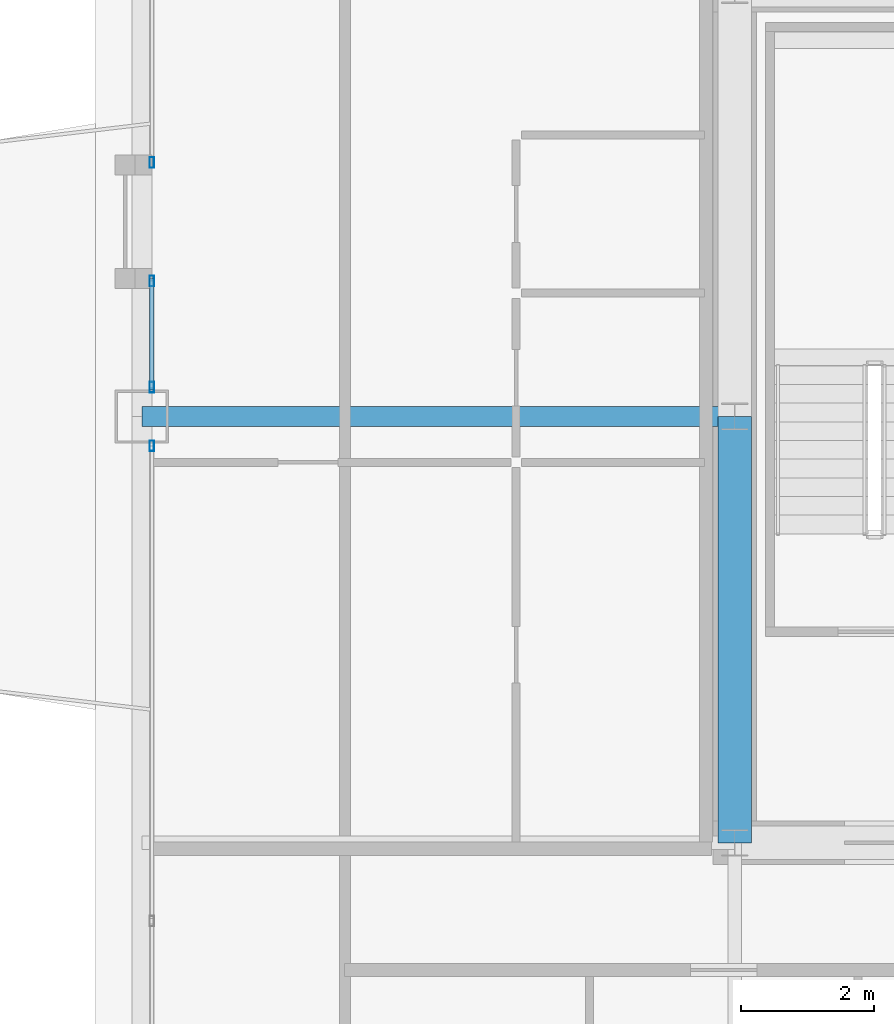
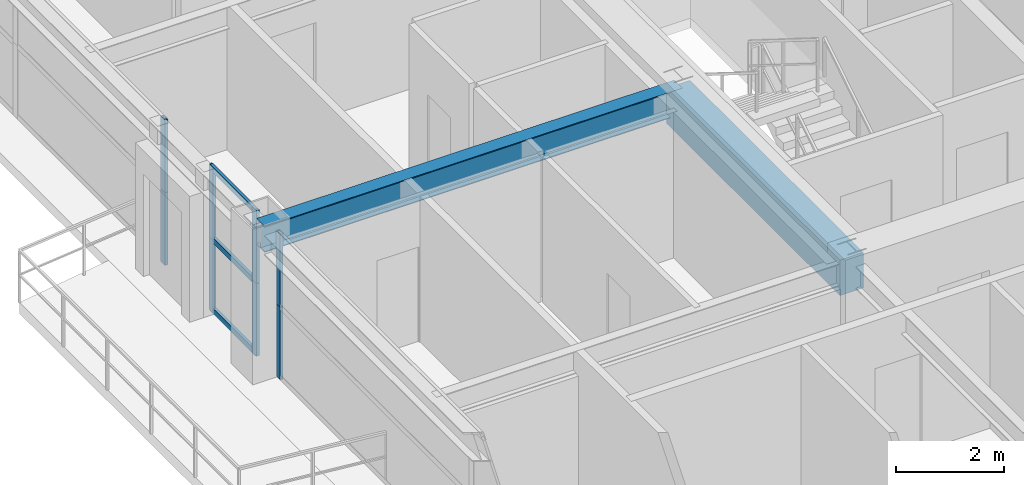
# One storey, part 13 of 42: 11 members, 2 beams, 3 elements without a shape of their own.
"""IFC4 building model written with IfcOpenShell, lengths in metres."""

from ifc_helpers import new_model, si_unit, direction, frame, origin, origin_2d, place, context, subcontext, project, spatial, rectangle, hollow_rectangle, i_section, extrude, source, transform, mapped, material, layer, layer_set, material_profile, profile_set, type_object, element, aggregate, save


model = new_model("IFC4")

# Units and contexts
model_context = context("Model", 3, precision=1e-05, world=origin(), true_north=direction((0.0, 1.0)))
body_context = subcontext(model_context, "Body", "Model", "MODEL_VIEW")
ifc_project = project(units=[si_unit("LENGTHUNIT", "METRE"), si_unit("AREAUNIT", "SQUARE_METRE"), si_unit("VOLUMEUNIT", "CUBIC_METRE"), si_unit("PLANEANGLEUNIT", "RADIAN"), si_unit("MASSUNIT", "GRAM", prefix="KILO"), si_unit("THERMODYNAMICTEMPERATUREUNIT", "KELVIN"), si_unit("POWERUNIT", "WATT")], contexts=[model_context])

# Site, building, storey
site_placement = place(None, origin())
site = spatial("IfcSite", under=ifc_project, at=site_placement, CompositionType="ELEMENT")
building_placement = place(site_placement, origin())
building = spatial("IfcBuilding", under=site, at=building_placement, Name="Yuzanri Waterfront Tower", CompositionType="ELEMENT")
storey_placement = place(building_placement, frame((0.0, 0.0, 205.5)))
storey = spatial("IfcBuildingStorey", under=building, at=storey_placement, Name="L54", CompositionType="ELEMENT", Elevation=205.5)

# Beams
ifc_material_1 = material(Name="Steel Q355B", Category="steel")
ifc_material_profile_1 = material_profile(ifc_material_1, i_section(OverallWidth=0.300048828125, OverallDepth=0.587890625, WebThickness=0.011962890625, FlangeThickness=0.02001953125, at=origin_2d()), Name="HM 588x300x12x20")
ifc_profile_set_1 = profile_set([ifc_material_profile_1], Name="Steel Q355B")
beam_type_1 = type_object("IfcBeamType", Name="Primary Floor Girder Q355B HM 588x300", PredefinedType="BEAM", material=ifc_profile_set_1)
shared_shape_1 = source(origin(), body_context, "Body", "SweptSolid", [
    extrude(i_section(OverallWidth=0.300048828125, OverallDepth=0.587890625, WebThickness=0.011962890625, FlangeThickness=0.02001953125, at=origin_2d()), origin(), (0.0, 0.0, 1.0), 8.900146484375),
])
beam_1_placement = place(storey_placement, frame((23.800048828125, 25.800048828125, 2.986083984375), z_axis=(-1.0, 0.0, 0.0), x_axis=(0.0, -1.0, 0.0)))
element("IfcBeam", 1, at=beam_1_placement, inside=storey, type_object=beam_type_1, Name="L54 West Grid Girder", PredefinedType="BEAM", context=body_context, shape_type="MappedRepresentation", body=[
    mapped(shared_shape_1, transform((0.0, 0.0, 0.0), scale=1.0)),
])
ifc_material_2 = material(Name="Concrete C50", Category="concrete")
ifc_material_profile_2 = material_profile(ifc_material_2, rectangle(XDim=0.5, YDim=0.800048828125, at=origin_2d()), Name="RC 500x800")
ifc_profile_set_2 = profile_set([ifc_material_profile_2], Name="Concrete C50")
beam_type_2 = type_object("IfcBeamType", Name="Core Coupling Lintel Concrete C50 500x800", PredefinedType="LINTEL", material=ifc_profile_set_2)
shared_shape_2 = source(origin(), body_context, "Body", "SweptSolid", [
    extrude(rectangle(XDim=0.5, YDim=0.800048828125, at=origin_2d()), origin(), (0.0, 0.0, 1.0), 6.400146484375),
])
beam_2_placement = place(storey_placement, frame((23.800048828125, 19.39990234375, 2.8798828125), z_axis=(0.0, 1.0, 0.0), x_axis=(-1.0, 0.0, 0.0)))
element("IfcBeam", 2, at=beam_2_placement, inside=storey, type_object=beam_type_2, Name="L54 Core Tie Beam CW1", PredefinedType="LINTEL", context=body_context, shape_type="MappedRepresentation", body=[
    mapped(shared_shape_2, transform((0.0, 0.0, 0.0), scale=1.0)),
])

# Curtain wall, members
ifc_material_3 = material(Name="Anodized Architectural Bronze", Category="metal")
ifc_layer = layer(ifc_material_3, 0.159912109375)
ifc_layer_set = layer_set([ifc_layer], Name="Anodized Architectural Bronze")
curtain_wall_type = type_object("IfcCurtainWallType", Name="Anodized Bronze Mid-Rise Residential Acoustic Unitized Curtain Wall 7200", PredefinedType="NOTDEFINED", material=ifc_layer_set)
curtain_wall_1_placement = place(storey_placement, origin())
curtain_wall_1 = element("IfcCurtainWall", 3, at=curtain_wall_1_placement, inside=storey, type_object=curtain_wall_type, Name="L54 Curtain Wall CW-L54-WL", PredefinedType="NOTDEFINED")
ifc_material_4 = material(Name="Anodized Architectural Bronze", Category="metal")
ifc_material_profile_3 = material_profile(ifc_material_4, hollow_rectangle(XDim=0.06494140625, YDim=0.159912109375, WallThickness=0.00341796875, at=origin_2d()), Name="CWM 65x160")
ifc_profile_set_3 = profile_set([ifc_material_profile_3], Name="Anodized Architectural Bronze")
member_type_1 = type_object("IfcMemberType", Name="Anodized Bronze Upper-Zone Curtain-Wall Mullion 65x160", PredefinedType="MULLION", material=ifc_profile_set_3)
shared_shape_3 = source(origin(), body_context, "Body", "SweptSolid", [
    extrude(hollow_rectangle(XDim=0.06494140625, YDim=0.159912109375, WallThickness=0.00341796875, at=origin_2d()), origin(), (0.0, 0.0, 1.0), 1.637939453125),
])
member_1_placement = place(storey_placement, frame((15.050048828125, 25.360107421875, 0.0), z_axis=(0.0, 0.0, 1.0), x_axis=(1.0, 0.0, 0.0)))
member_1 = element("IfcMember", 4, at=member_1_placement, type_object=member_type_1, Name="CW-L54-WL Lower Mullion 02", PredefinedType="MULLION", context=body_context, shape_type="MappedRepresentation", body=[
    mapped(shared_shape_3, transform((0.0, 0.0, 0.0), scale=1.0)),
])
member_2_placement = place(storey_placement, frame((15.050048828125, 25.360107421875, 1.64208984375), z_axis=(0.0, 0.0, 1.0), x_axis=(1.0, 0.0, 0.0)))
member_2 = element("IfcMember", 5, at=member_2_placement, type_object=member_type_1, Name="CW-L54-WL Upper Mullion 02", PredefinedType="MULLION", context=body_context, shape_type="MappedRepresentation", body=[
    mapped(shared_shape_3, transform((0.0, 0.0, 0.0), scale=1.0)),
])
aggregate(curtain_wall_1, [member_1, member_2])

curtain_wall_2_placement = place(storey_placement, origin())
curtain_wall_2 = element("IfcCurtainWall", 6, at=curtain_wall_2_placement, inside=storey, type_object=curtain_wall_type, Name="L54 Curtain Wall CW-L54-WR1", PredefinedType="NOTDEFINED")
member_3_placement = place(storey_placement, frame((15.050048828125, 26.239990234375, 0.0), z_axis=(0.0, 0.0, 1.0), x_axis=(1.0, 0.0, 0.0)))
member_3 = element("IfcMember", 7, at=member_3_placement, type_object=member_type_1, Name="CW-L54-WR1 Lower Mullion 00", PredefinedType="MULLION", context=body_context, shape_type="MappedRepresentation", body=[
    mapped(shared_shape_3, transform((0.0, 0.0, 0.0), scale=1.0)),
])
member_4_placement = place(storey_placement, frame((15.050048828125, 26.239990234375, 1.64208984375), z_axis=(0.0, 0.0, 1.0), x_axis=(1.0, 0.0, 0.0)))
member_4 = element("IfcMember", 8, at=member_4_placement, type_object=member_type_1, Name="CW-L54-WR1 Upper Mullion 00", PredefinedType="MULLION", context=body_context, shape_type="MappedRepresentation", body=[
    mapped(shared_shape_3, transform((0.0, 0.0, 0.0), scale=1.0)),
])
member_5_placement = place(storey_placement, frame((15.050048828125, 27.8349609375, 0.0), z_axis=(0.0, 0.0, 1.0), x_axis=(1.0, 0.0, 0.0)))
member_5 = element("IfcMember", 9, at=member_5_placement, type_object=member_type_1, Name="CW-L54-WR1 Lower Mullion 01", PredefinedType="MULLION", context=body_context, shape_type="MappedRepresentation", body=[
    mapped(shared_shape_3, transform((0.0, 0.0, 0.0), scale=1.0)),
])
member_6_placement = place(storey_placement, frame((15.050048828125, 27.8349609375, 1.64208984375), z_axis=(0.0, 0.0, 1.0), x_axis=(1.0, 0.0, 0.0)))
member_6 = element("IfcMember", 10, at=member_6_placement, type_object=member_type_1, Name="CW-L54-WR1 Upper Mullion 01", PredefinedType="MULLION", context=body_context, shape_type="MappedRepresentation", body=[
    mapped(shared_shape_3, transform((0.0, 0.0, 0.0), scale=1.0)),
])

curtain_wall_3_placement = place(storey_placement, origin())
curtain_wall_3 = element("IfcCurtainWall", 11, at=curtain_wall_3_placement, inside=storey, type_object=curtain_wall_type, Name="L54 Curtain Wall CW-L54-WR2", PredefinedType="NOTDEFINED")
member_7_placement = place(storey_placement, frame((15.050048828125, 29.614990234375, 0.0), z_axis=(0.0, 0.0, 1.0), x_axis=(1.0, 0.0, 0.0)))
member_7 = element("IfcMember", 12, at=member_7_placement, type_object=member_type_1, Name="CW-L54-WR2 Lower Mullion 00", PredefinedType="MULLION", context=body_context, shape_type="MappedRepresentation", body=[
    mapped(shared_shape_3, transform((0.0, 0.0, 0.0), scale=1.0)),
])
member_8_placement = place(storey_placement, frame((15.050048828125, 29.614990234375, 1.64208984375), z_axis=(0.0, 0.0, 1.0), x_axis=(1.0, 0.0, 0.0)))
member_8 = element("IfcMember", 13, at=member_8_placement, type_object=member_type_1, Name="CW-L54-WR2 Upper Mullion 00", PredefinedType="MULLION", context=body_context, shape_type="MappedRepresentation", body=[
    mapped(shared_shape_3, transform((0.0, 0.0, 0.0), scale=1.0)),
])
aggregate(curtain_wall_3, [member_7, member_8])

# Member
ifc_material_5 = material(Name="Anodized Architectural Bronze", Category="metal")
ifc_material_profile_4 = material_profile(ifc_material_5, hollow_rectangle(XDim=0.06494140625, YDim=0.1201171875, WallThickness=0.00341796875, at=origin_2d()), Name="CWT 65x120")
ifc_profile_set_4 = profile_set([ifc_material_profile_4], Name="Anodized Architectural Bronze")
member_type_2 = type_object("IfcMemberType", Name="Anodized Bronze Secondary Curtain-Wall Transom 65x120", PredefinedType="USERDEFINED", material=ifc_profile_set_4)
shared_shape_4 = source(origin(), body_context, "Body", "SweptSolid", [
    extrude(hollow_rectangle(XDim=0.06494140625, YDim=0.1201171875, WallThickness=0.00341796875, at=origin_2d()), origin(), (0.0, 0.0, 1.0), 1.675048828125),
])
member_9_placement = place(storey_placement, frame((15.050048828125, 26.199951171875, 0.050048828125), z_axis=(0.0, 1.0, 0.0), x_axis=(-1.0, 0.0, 0.0)))
member_9 = element("IfcMember", 14, at=member_9_placement, type_object=member_type_2, Name="CW-L54-WR1 Transom 1", ObjectType="TRANSOM", PredefinedType="USERDEFINED", context=body_context, shape_type="MappedRepresentation", body=[
    mapped(shared_shape_4, transform((0.0, 0.0, 0.0), scale=1.0)),
])

member_10_placement = place(storey_placement, frame((15.050048828125, 26.199951171875, 1.639892578125), z_axis=(0.0, 1.0, 0.0), x_axis=(-1.0, 0.0, 0.0)))
member_10 = element("IfcMember", 15, at=member_10_placement, type_object=member_type_2, Name="CW-L54-WR1 Transom 2", ObjectType="TRANSOM", PredefinedType="USERDEFINED", context=body_context, shape_type="MappedRepresentation", body=[
    mapped(shared_shape_4, transform((0.0, 0.0, 0.0), scale=1.0)),
])

member_11_placement = place(storey_placement, frame((15.050048828125, 26.199951171875, 3.22998046875), z_axis=(0.0, 1.0, 0.0), x_axis=(-1.0, 0.0, 0.0)))
member_11 = element("IfcMember", 16, at=member_11_placement, type_object=member_type_2, Name="CW-L54-WR1 Transom 3", ObjectType="TRANSOM", PredefinedType="USERDEFINED", context=body_context, shape_type="MappedRepresentation", body=[
    mapped(shared_shape_4, transform((0.0, 0.0, 0.0), scale=1.0)),
])

aggregate(curtain_wall_2, [member_3, member_4, member_5, member_6, member_9, member_10, member_11])

save(model, "model.ifc")
